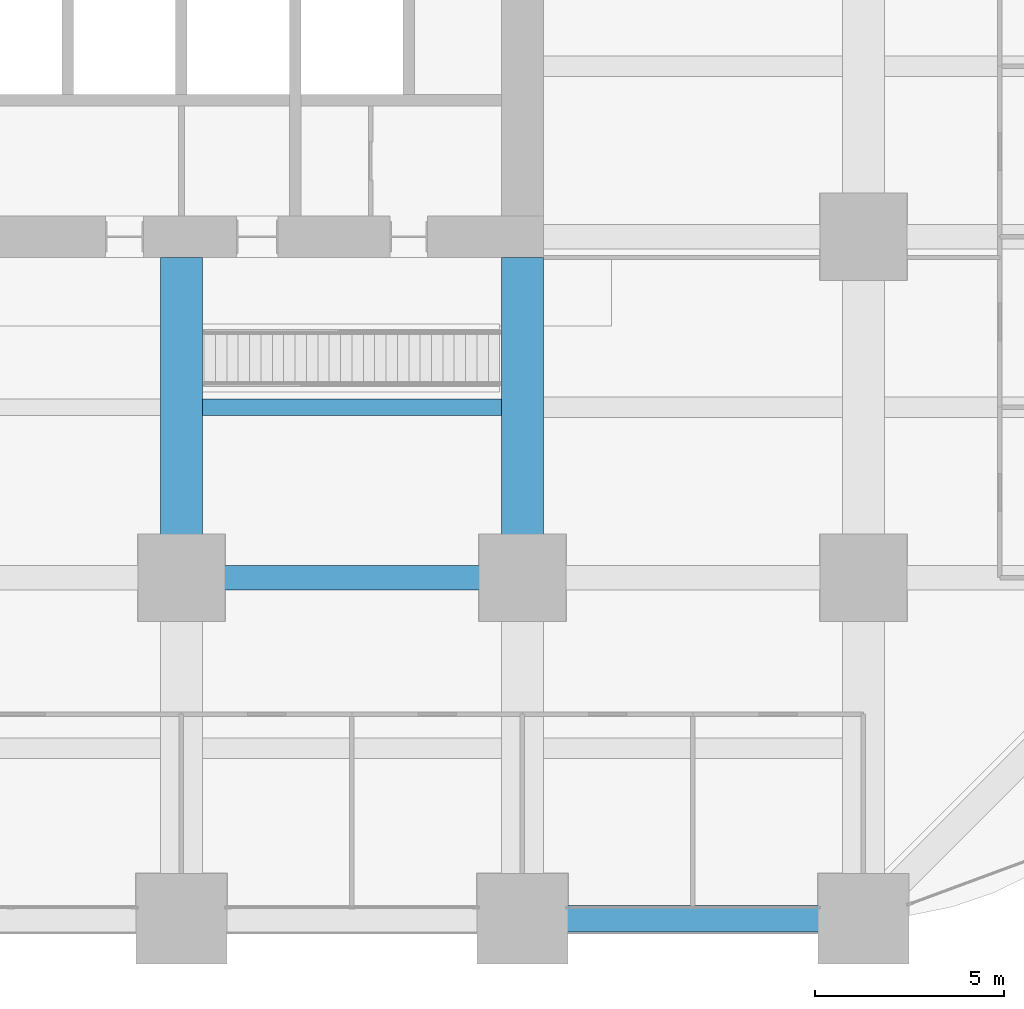
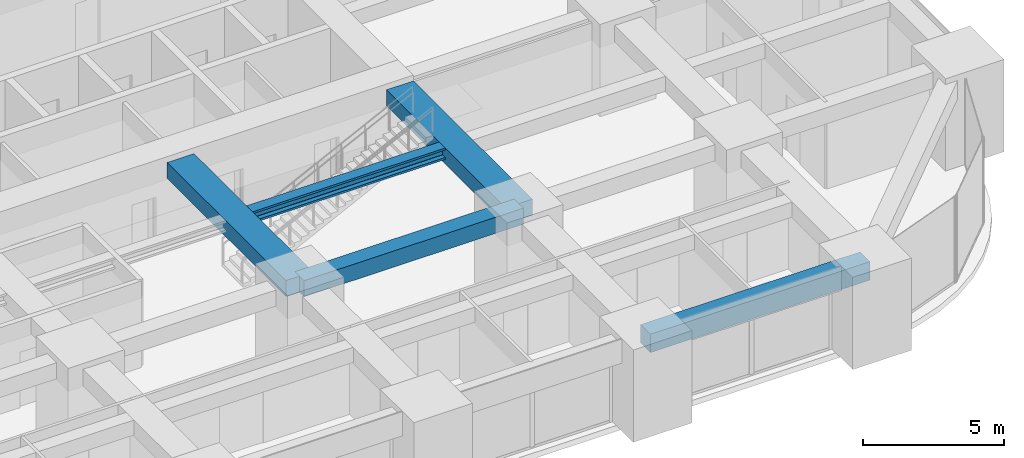
# One storey, part 14 of 45: 5 beams.
"""IFC4 building model written with IfcOpenShell, lengths in metres."""

from ifc_helpers import new_model, si_unit, direction, frame, origin, origin_2d, place, context, subcontext, project, spatial, rectangle, i_section, extrude, material, material_profile, profile_set, type_object, element, save


model = new_model("IFC4")

# Units and contexts
model_context = context("Model", 3, precision=1e-05, world=origin(), true_north=direction((0.0, 1.0)))
body_context = subcontext(model_context, "Body", "Model", "MODEL_VIEW")
ifc_project = project(units=[si_unit("LENGTHUNIT", "METRE"), si_unit("AREAUNIT", "SQUARE_METRE"), si_unit("VOLUMEUNIT", "CUBIC_METRE"), si_unit("PLANEANGLEUNIT", "RADIAN"), si_unit("MASSUNIT", "GRAM", prefix="KILO")], contexts=[model_context])

# Site, building, storey
site_placement = place(None, origin())
site = spatial("IfcSite", under=ifc_project, at=site_placement, CompositionType="ELEMENT")
building_placement = place(site_placement, origin())
building = spatial("IfcBuilding", under=site, at=building_placement, Name="Zorevar Civic Tower", CompositionType="ELEMENT")
storey_placement = place(building_placement, frame((0.0, 0.0, 23.800048828125)))
storey = spatial("IfcBuildingStorey", under=building, at=storey_placement, Name="L05", CompositionType="ELEMENT", Elevation=23.800048828125)

# Beams
ifc_material_1 = material(Name="Concrete C50/60", Category="concrete")
ifc_material_profile_1 = material_profile(ifc_material_1, rectangle(XDim=1.10009765625, YDim=0.699951171875, at=origin_2d()), Name="RC 1100x700")
ifc_profile_set_1 = profile_set([ifc_material_profile_1], Name="Concrete C50/60")
beam_type_1 = type_object("IfcBeamType", Name="Beam RC 1100x700", PredefinedType="BEAM", material=ifc_profile_set_1)
for number, where, z_axis, x_axis, name in (
    (1, (36.0, 9.0, 3.39990234375), (0.0, 1.0, 0.0), (-1.0, 0.0, 0.0), "Girder L06"),
    (2, (45.0, 9.0, 3.39990234375), (0.0, 1.0, 0.0), (-1.0, 0.0, 0.0), "Girder L06"),
):
    element("IfcBeam", number, at=place(storey_placement, frame(where, z_axis=z_axis, x_axis=x_axis)), inside=storey, type_object=beam_type_1, Name=name, PredefinedType="BEAM", context=body_context, shape_type="SweptSolid", body=[
        extrude(rectangle(XDim=1.10009765625, YDim=0.699951171875, at=origin_2d()), origin(), (0.0, 0.0, 1.0), 8.449951171875),
    ])
ifc_material_2 = material(Name="Concrete C50/60", Category="concrete")
ifc_material_profile_2 = material_profile(ifc_material_2, rectangle(XDim=0.64990234375, YDim=0.699951171875, at=origin_2d()), Name="RC 650x700")
ifc_profile_set_2 = profile_set([ifc_material_profile_2], Name="Concrete C50/60")
beam_type_2 = type_object("IfcBeamType", Name="Beam RC 650x700", PredefinedType="BEAM", material=ifc_profile_set_2)
beam_1_placement = place(storey_placement, frame((36.0, 9.0, 3.39990234375), z_axis=(1.0, 0.0, 0.0), x_axis=(0.0, 1.0, 0.0)))
element("IfcBeam", 3, at=beam_1_placement, inside=storey, type_object=beam_type_2, Name="Girder L06", PredefinedType="BEAM", context=body_context, shape_type="SweptSolid", body=[
    extrude(rectangle(XDim=0.64990234375, YDim=0.699951171875, at=origin_2d()), origin(), (0.0, 0.0, 1.0), 9.0),
])
ifc_material_3 = material(Name="Steel S460M (HISTAR 460)", Category="steel")
ifc_material_profile_3 = material_profile(ifc_material_3, i_section(OverallWidth=0.431884765625, OverallDepth=0.498046875, WebThickness=0.0556640625, FlangeThickness=0.0888671875, FilletRadius=0.014892578125, at=origin_2d()), Name="HD 400x744")
ifc_profile_set_3 = profile_set([ifc_material_profile_3], Name="Steel S460M (HISTAR 460)")
beam_type_3 = type_object("IfcBeamType", Name="Core bay beam HD 400x744", PredefinedType="BEAM", material=ifc_profile_set_3)
beam_2_placement = place(storey_placement, frame((36.550048828125, 13.5, 3.5009765625), z_axis=(1.0, 0.0, 0.0), x_axis=(0.0, 1.0, 0.0)))
element("IfcBeam", 4, at=beam_2_placement, inside=storey, type_object=beam_type_3, Name="Secondary beam L06", PredefinedType="BEAM", context=body_context, shape_type="SweptSolid", body=[
    extrude(i_section(OverallWidth=0.431884765625, OverallDepth=0.498046875, WebThickness=0.0556640625, FlangeThickness=0.0888671875, FilletRadius=0.014892578125, at=origin_2d()), origin(), (0.0, 0.0, 1.0), 7.89990234375),
])
ifc_material_4 = material(Name="Concrete C50/60", Category="concrete")
ifc_material_profile_4 = material_profile(ifc_material_4, rectangle(XDim=0.699951171875, YDim=0.800048828125, at=origin_2d()), Name="RC 700x800")
ifc_profile_set_4 = profile_set([ifc_material_profile_4], Name="Concrete C50/60")
beam_type_4 = type_object("IfcBeamType", Name="Edge beam RC 700x800", PredefinedType="SPANDREL", material=ifc_profile_set_4)
beam_3_placement = place(storey_placement, frame((45.0, 0.0, 3.349853515625), z_axis=(1.0, 0.0, 0.0), x_axis=(0.0, 1.0, 0.0)))
element("IfcBeam", 5, at=beam_3_placement, inside=storey, type_object=beam_type_4, Name="Edge beam L06", PredefinedType="SPANDREL", context=body_context, shape_type="SweptSolid", body=[
    extrude(rectangle(XDim=0.699951171875, YDim=0.800048828125, at=origin_2d()), origin(), (0.0, 0.0, 1.0), 9.0),
])

save(model, "model.ifc")
